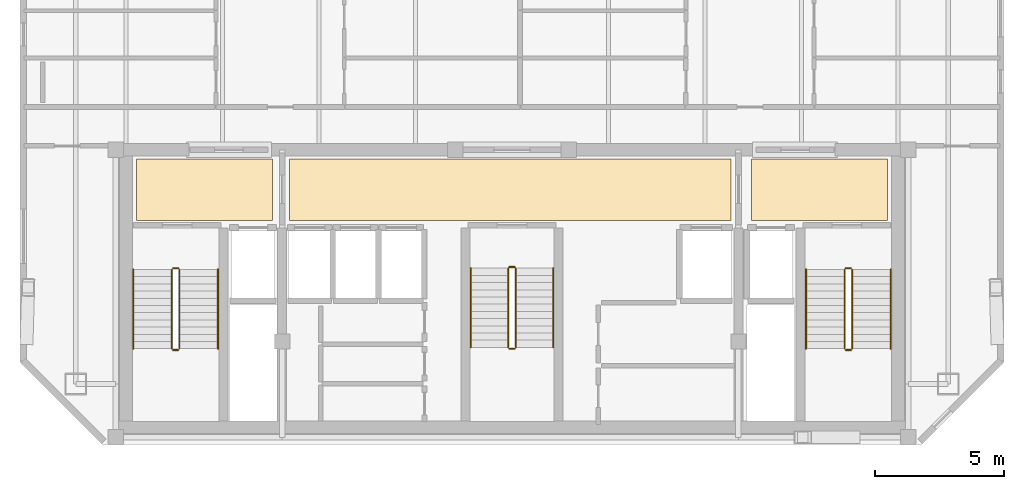
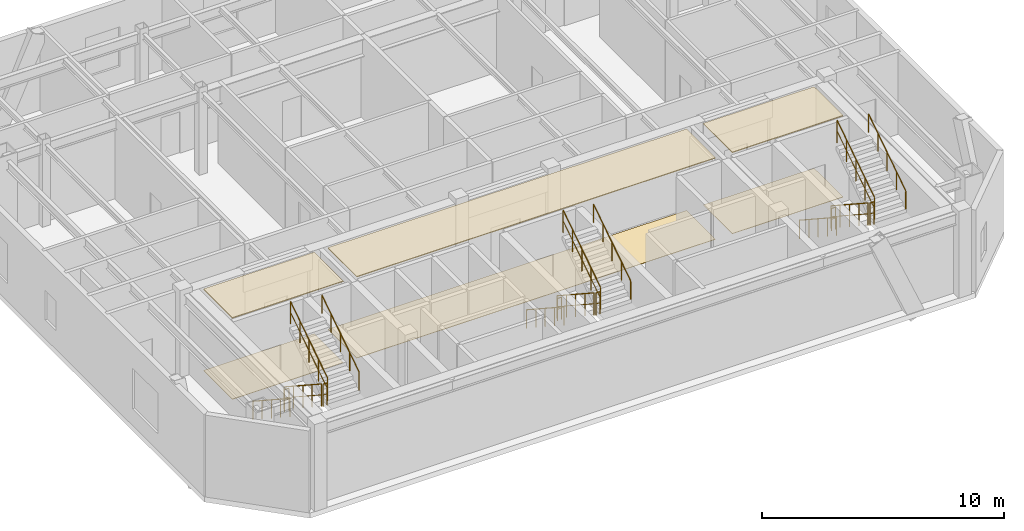
# One storey, part 7 of 7: 18 railings, 6 coverings.
"""IFC4 building model written with IfcOpenShell, lengths in metres."""

from ifc_helpers import new_model, si_unit, direction, frame, origin, origin_2d, place, context, subcontext, project, spatial, polyline, circle, outline, extrude, material, layer, layer_set, type_object, element, save


model = new_model("IFC4")

# Units and contexts
model_context = context("Model", 3, precision=1e-05, world=origin(), true_north=direction((0.0, 1.0)))
body_context = subcontext(model_context, "Body", "Model", "MODEL_VIEW")
ifc_project = project(units=[si_unit("LENGTHUNIT", "METRE"), si_unit("AREAUNIT", "SQUARE_METRE"), si_unit("VOLUMEUNIT", "CUBIC_METRE"), si_unit("PLANEANGLEUNIT", "RADIAN"), si_unit("MASSUNIT", "GRAM", prefix="KILO")], contexts=[model_context])

# Site, building, storey
site_placement = place(None, origin())
site = spatial("IfcSite", under=ifc_project, at=site_placement, CompositionType="ELEMENT")
building_placement = place(site_placement, origin())
building = spatial("IfcBuilding", under=site, at=building_placement, Name="Ventersveld Concourse Tower", CompositionType="ELEMENT")
storey_placement = place(building_placement, frame((0.0, 0.0, 353.449951171875)))
storey = spatial("IfcBuildingStorey", under=building, at=storey_placement, Name="L87", CompositionType="ELEMENT", Elevation=353.449951171875)

# Coverings
ifc_material_1 = material(Name="Mineral-fibre acoustic ceiling tile", Category="gypsum")
ifc_layer_1 = layer(ifc_material_1, 0.0400390625)
ifc_layer_set_1 = layer_set([ifc_layer_1], Name="Mineral-fibre acoustic ceiling tile")
covering_type_1 = type_object("IfcCoveringType", Name="COV-CEIL-ACOUSTIC", PredefinedType="CEILING", material=ifc_layer_set_1)
covering_1_placement = place(storey_placement, frame((0.0, 0.0, 4.10009765625)))
element("IfcCovering", 1, at=covering_1_placement, inside=storey, type_object=covering_type_1, Name="L87 North Lift Lobby Acoustic Ceiling", PredefinedType="CEILING", context=body_context, shape_type="SweptSolid", body=[
    extrude(outline(polyline([(20.10009765625, 8.699951171875), (37.25, 8.699951171875), (37.25, 11.10009765625), (20.10009765625, 11.10009765625), (20.10009765625, 8.699951171875)])), origin(), (0.0, 0.0, 1.0), 0.0400390625),
])
covering_2_placement = place(storey_placement, frame((0.0, 0.0, 4.10009765625)))
element("IfcCovering", 2, at=covering_2_placement, inside=storey, type_object=covering_type_1, Name="L87 West Firefighting Lobby Acoustic Ceiling", PredefinedType="CEILING", context=body_context, shape_type="SweptSolid", body=[
    extrude(outline(polyline([(14.14990234375, 8.699951171875), (19.449951171875, 8.699951171875), (19.449951171875, 11.10009765625), (14.14990234375, 11.10009765625), (14.14990234375, 8.699951171875)])), origin(), (0.0, 0.0, 1.0), 0.0400390625),
])
covering_3_placement = place(storey_placement, frame((0.0, 0.0, 4.10009765625)))
element("IfcCovering", 3, at=covering_3_placement, inside=storey, type_object=covering_type_1, Name="L87 East Firefighting Lobby Acoustic Ceiling", PredefinedType="CEILING", context=body_context, shape_type="SweptSolid", body=[
    extrude(outline(polyline([(38.050048828125, 8.699951171875), (43.35009765625, 8.699951171875), (43.35009765625, 11.10009765625), (38.050048828125, 11.10009765625), (38.050048828125, 8.699951171875)])), origin(), (0.0, 0.0, 1.0), 0.0400390625),
])
ifc_material_2 = material(Name="Polished Highveld granite terrazzo", Category="masonry")
ifc_layer_2 = layer(ifc_material_2, 0.02001953125)
ifc_layer_set_2 = layer_set([ifc_layer_2], Name="Polished Highveld granite terrazzo")
covering_type_2 = type_object("IfcCoveringType", Name="COV-FLOOR-TERRAZZO", PredefinedType="FLOORING", material=ifc_layer_set_2)
covering_4_placement = place(storey_placement, origin())
element("IfcCovering", 4, at=covering_4_placement, inside=storey, type_object=covering_type_2, Name="L87 North Lift Lobby Terrazzo Flooring", PredefinedType="FLOORING", context=body_context, shape_type="SweptSolid", body=[
    extrude(outline(polyline([(20.10009765625, 8.699951171875), (37.25, 8.699951171875), (37.25, 11.10009765625), (20.10009765625, 11.10009765625), (20.10009765625, 8.699951171875)])), origin(), (0.0, 0.0, 1.0), 0.02001953125),
])
covering_5_placement = place(storey_placement, origin())
element("IfcCovering", 5, at=covering_5_placement, inside=storey, type_object=covering_type_2, Name="L87 West Firefighting Lobby Terrazzo Flooring", PredefinedType="FLOORING", context=body_context, shape_type="SweptSolid", body=[
    extrude(outline(polyline([(14.14990234375, 8.699951171875), (19.449951171875, 8.699951171875), (19.449951171875, 11.10009765625), (14.14990234375, 11.10009765625), (14.14990234375, 8.699951171875)])), origin(), (0.0, 0.0, 1.0), 0.02001953125),
])
covering_6_placement = place(storey_placement, origin())
element("IfcCovering", 6, at=covering_6_placement, inside=storey, type_object=covering_type_2, Name="L87 East Firefighting Lobby Terrazzo Flooring", PredefinedType="FLOORING", context=body_context, shape_type="SweptSolid", body=[
    extrude(outline(polyline([(38.050048828125, 8.699951171875), (43.35009765625, 8.699951171875), (43.35009765625, 11.10009765625), (38.050048828125, 11.10009765625), (38.050048828125, 8.699951171875)])), origin(), (0.0, 0.0, 1.0), 0.02001953125),
])

# Railings
ifc_material_3 = material(Name="Brushed stainless steel 316", Category="steel")
railing_type_1 = type_object("IfcRailingType", Name="GD-BAL-115", PredefinedType="GUARDRAIL", material=ifc_material_3)
railing_1_placement = place(storey_placement, frame((15.530029296875, 6.800048828125, 0.183349609375)))
element("IfcRailing", 7, at=railing_1_placement, inside=storey, type_object=railing_type_1, Name="L87 ST-01 stair guard 1", PredefinedType="GUARDRAIL", context=body_context, shape_type="SweptSolid", body=[
    extrude(circle(Radius=0.02392578125, at=origin_2d()), frame((0.0, 0.0, 1.1259765625), z_axis=(0.0, -0.836633000464, 0.547763838287), x_axis=(1.0, 0.0, 0.0)), (0.0, 0.0, 1.0), 3.681396484375),
    extrude(circle(Radius=0.01611328125, at=origin_2d()), frame((0.0, 0.0, 0.574951171875), z_axis=(0.0, -0.836633000464, 0.547763838287), x_axis=(1.0, 0.0, 0.0)), (0.0, 0.0, 1.0), 3.681396484375),
    extrude(circle(Radius=0.02099609375, at=origin_2d()), origin(), (0.0, 0.0, 1.0), 1.101806640625),
    extrude(circle(Radius=0.02099609375, at=origin_2d()), frame((0.0, -0.77001953125, 0.504150390625)), (0.0, 0.0, 1.0), 1.101806640625),
    extrude(circle(Radius=0.02099609375, at=origin_2d()), frame((0.0, -1.5400390625, 1.00830078125)), (0.0, 0.0, 1.0), 1.101806640625),
    extrude(circle(Radius=0.02099609375, at=origin_2d()), frame((0.0, -2.31005859375, 1.512451171875)), (0.0, 0.0, 1.0), 1.101806640625),
    extrude(circle(Radius=0.02099609375, at=origin_2d()), frame((0.0, -3.080078125, 2.0166015625)), (0.0, 0.0, 1.0), 1.101806640625),
])
railing_2_placement = place(storey_placement, frame((15.580078125, 3.669921875, 2.199951171875)))
element("IfcRailing", 8, at=railing_2_placement, inside=storey, type_object=railing_type_1, Name="L87 ST-01 stair guard 2", PredefinedType="GUARDRAIL", context=body_context, shape_type="SweptSolid", body=[
    extrude(circle(Radius=0.02392578125, at=origin_2d()), frame((0.0, 0.0, 1.1259765625), z_axis=(1.0, 0.0, 0.0), x_axis=(0.0, 1.0, 0.0)), (0.0, 0.0, 1.0), 0.199951171875),
    extrude(circle(Radius=0.01611328125, at=origin_2d()), frame((0.0, 0.0, 0.574951171875), z_axis=(1.0, 0.0, 0.0), x_axis=(0.0, 1.0, 0.0)), (0.0, 0.0, 1.0), 0.199951171875),
    extrude(circle(Radius=0.02099609375, at=origin_2d()), origin(), (0.0, 0.0, 1.0), 1.101806640625),
    extrude(circle(Radius=0.02099609375, at=origin_2d()), frame((0.199951171875, 0.0, 0.0)), (0.0, 0.0, 1.0), 1.101806640625),
])
railing_3_placement = place(storey_placement, frame((15.830078125, 3.719970703125, 2.38330078125)))
element("IfcRailing", 9, at=railing_3_placement, inside=storey, type_object=railing_type_1, Name="L87 ST-01 stair guard 3", PredefinedType="GUARDRAIL", context=body_context, shape_type="SweptSolid", body=[
    extrude(circle(Radius=0.02392578125, at=origin_2d()), frame((0.0, 0.0, 1.1259765625), z_axis=(0.0, 0.836602609513, 0.547810253423), x_axis=(-1.0, 0.0, 0.0)), (0.0, 0.0, 1.0), 3.681640625),
    extrude(circle(Radius=0.01611328125, at=origin_2d()), frame((0.0, 0.0, 0.574951171875), z_axis=(0.0, 0.836602609513, 0.547810253423), x_axis=(-1.0, 0.0, 0.0)), (0.0, 0.0, 1.0), 3.681640625),
    extrude(circle(Radius=0.02099609375, at=origin_2d()), origin(), (0.0, 0.0, 1.0), 1.101806640625),
    extrude(circle(Radius=0.02099609375, at=origin_2d()), frame((0.0, 0.77001953125, 0.504150390625)), (0.0, 0.0, 1.0), 1.101806640625),
    extrude(circle(Radius=0.02099609375, at=origin_2d()), frame((0.0, 1.5400390625, 1.00830078125)), (0.0, 0.0, 1.0), 1.101806640625),
    extrude(circle(Radius=0.02099609375, at=origin_2d()), frame((0.0, 2.31005859375, 1.5126953125)), (0.0, 0.0, 1.0), 1.101806640625),
    extrude(circle(Radius=0.02099609375, at=origin_2d()), frame((0.0, 3.080078125, 2.016845703125)), (0.0, 0.0, 1.0), 1.101806640625),
])
railing_4_placement = place(storey_placement, frame((15.580078125, 6.85009765625, 0.0)))
element("IfcRailing", 10, at=railing_4_placement, inside=storey, type_object=railing_type_1, Name="L87 ST-01 stair guard 4", PredefinedType="GUARDRAIL", context=body_context, shape_type="SweptSolid", body=[
    extrude(circle(Radius=0.02392578125, at=origin_2d()), frame((0.0, 0.0, 1.1259765625), z_axis=(1.0, 0.0, 0.0), x_axis=(0.0, 1.0, 0.0)), (0.0, 0.0, 1.0), 0.199951171875),
    extrude(circle(Radius=0.01611328125, at=origin_2d()), frame((0.0, 0.0, 0.574951171875), z_axis=(1.0, 0.0, 0.0), x_axis=(0.0, 1.0, 0.0)), (0.0, 0.0, 1.0), 0.199951171875),
    extrude(circle(Radius=0.02099609375, at=origin_2d()), origin(), (0.0, 0.0, 1.0), 1.101806640625),
    extrude(circle(Radius=0.02099609375, at=origin_2d()), frame((0.199951171875, 0.0, 0.0)), (0.0, 0.0, 1.0), 1.101806640625),
])
railing_5_placement = place(storey_placement, frame((41.669921875, 6.800048828125, 0.183349609375)))
element("IfcRailing", 11, at=railing_5_placement, inside=storey, type_object=railing_type_1, Name="L87 ST-02 stair guard 1", PredefinedType="GUARDRAIL", context=body_context, shape_type="SweptSolid", body=[
    extrude(circle(Radius=0.02392578125, at=origin_2d()), frame((0.0, 0.0, 1.1259765625), z_axis=(0.0, -0.836633000464, 0.547763838287), x_axis=(1.0, 0.0, 0.0)), (0.0, 0.0, 1.0), 3.681396484375),
    extrude(circle(Radius=0.01611328125, at=origin_2d()), frame((0.0, 0.0, 0.574951171875), z_axis=(0.0, -0.836633000464, 0.547763838287), x_axis=(1.0, 0.0, 0.0)), (0.0, 0.0, 1.0), 3.681396484375),
    extrude(circle(Radius=0.02099609375, at=origin_2d()), origin(), (0.0, 0.0, 1.0), 1.101806640625),
    extrude(circle(Radius=0.02099609375, at=origin_2d()), frame((0.0, -0.77001953125, 0.504150390625)), (0.0, 0.0, 1.0), 1.101806640625),
    extrude(circle(Radius=0.02099609375, at=origin_2d()), frame((0.0, -1.5400390625, 1.00830078125)), (0.0, 0.0, 1.0), 1.101806640625),
    extrude(circle(Radius=0.02099609375, at=origin_2d()), frame((0.0, -2.31005859375, 1.512451171875)), (0.0, 0.0, 1.0), 1.101806640625),
    extrude(circle(Radius=0.02099609375, at=origin_2d()), frame((0.0, -3.080078125, 2.0166015625)), (0.0, 0.0, 1.0), 1.101806640625),
])
railing_6_placement = place(storey_placement, frame((41.719970703125, 3.669921875, 2.199951171875)))
element("IfcRailing", 12, at=railing_6_placement, inside=storey, type_object=railing_type_1, Name="L87 ST-02 stair guard 2", PredefinedType="GUARDRAIL", context=body_context, shape_type="SweptSolid", body=[
    extrude(circle(Radius=0.02392578125, at=origin_2d()), frame((0.0, 0.0, 1.1259765625), z_axis=(1.0, 0.0, 0.0), x_axis=(0.0, 1.0, 0.0)), (0.0, 0.0, 1.0), 0.199951171875),
    extrude(circle(Radius=0.01611328125, at=origin_2d()), frame((0.0, 0.0, 0.574951171875), z_axis=(1.0, 0.0, 0.0), x_axis=(0.0, 1.0, 0.0)), (0.0, 0.0, 1.0), 0.199951171875),
    extrude(circle(Radius=0.02099609375, at=origin_2d()), origin(), (0.0, 0.0, 1.0), 1.101806640625),
    extrude(circle(Radius=0.02099609375, at=origin_2d()), frame((0.199951171875, 0.0, 0.0)), (0.0, 0.0, 1.0), 1.101806640625),
])
railing_7_placement = place(storey_placement, frame((41.969970703125, 3.719970703125, 2.38330078125)))
element("IfcRailing", 13, at=railing_7_placement, inside=storey, type_object=railing_type_1, Name="L87 ST-02 stair guard 3", PredefinedType="GUARDRAIL", context=body_context, shape_type="SweptSolid", body=[
    extrude(circle(Radius=0.02392578125, at=origin_2d()), frame((0.0, 0.0, 1.1259765625), z_axis=(0.0, 0.836602609513, 0.547810253423), x_axis=(-1.0, 0.0, 0.0)), (0.0, 0.0, 1.0), 3.681640625),
    extrude(circle(Radius=0.01611328125, at=origin_2d()), frame((0.0, 0.0, 0.574951171875), z_axis=(0.0, 0.836602609513, 0.547810253423), x_axis=(-1.0, 0.0, 0.0)), (0.0, 0.0, 1.0), 3.681640625),
    extrude(circle(Radius=0.02099609375, at=origin_2d()), origin(), (0.0, 0.0, 1.0), 1.101806640625),
    extrude(circle(Radius=0.02099609375, at=origin_2d()), frame((0.0, 0.77001953125, 0.504150390625)), (0.0, 0.0, 1.0), 1.101806640625),
    extrude(circle(Radius=0.02099609375, at=origin_2d()), frame((0.0, 1.5400390625, 1.00830078125)), (0.0, 0.0, 1.0), 1.101806640625),
    extrude(circle(Radius=0.02099609375, at=origin_2d()), frame((0.0, 2.31005859375, 1.5126953125)), (0.0, 0.0, 1.0), 1.101806640625),
    extrude(circle(Radius=0.02099609375, at=origin_2d()), frame((0.0, 3.080078125, 2.016845703125)), (0.0, 0.0, 1.0), 1.101806640625),
])
railing_8_placement = place(storey_placement, frame((41.719970703125, 6.85009765625, 0.0)))
element("IfcRailing", 14, at=railing_8_placement, inside=storey, type_object=railing_type_1, Name="L87 ST-02 stair guard 4", PredefinedType="GUARDRAIL", context=body_context, shape_type="SweptSolid", body=[
    extrude(circle(Radius=0.02392578125, at=origin_2d()), frame((0.0, 0.0, 1.1259765625), z_axis=(1.0, 0.0, 0.0), x_axis=(0.0, 1.0, 0.0)), (0.0, 0.0, 1.0), 0.199951171875),
    extrude(circle(Radius=0.01611328125, at=origin_2d()), frame((0.0, 0.0, 0.574951171875), z_axis=(1.0, 0.0, 0.0), x_axis=(0.0, 1.0, 0.0)), (0.0, 0.0, 1.0), 0.199951171875),
    extrude(circle(Radius=0.02099609375, at=origin_2d()), origin(), (0.0, 0.0, 1.0), 1.101806640625),
    extrude(circle(Radius=0.02099609375, at=origin_2d()), frame((0.199951171875, 0.0, 0.0)), (0.0, 0.0, 1.0), 1.101806640625),
])
railing_9_placement = place(storey_placement, frame((28.60009765625, 6.85009765625, 0.183349609375)))
element("IfcRailing", 15, at=railing_9_placement, inside=storey, type_object=railing_type_1, Name="L87 ST-03 stair guard 1", PredefinedType="GUARDRAIL", context=body_context, shape_type="SweptSolid", body=[
    extrude(circle(Radius=0.02392578125, at=origin_2d()), frame((0.0, 0.0, 1.1259765625), z_axis=(0.0, -0.836633000464, 0.547763838287), x_axis=(1.0, 0.0, 0.0)), (0.0, 0.0, 1.0), 3.681396484375),
    extrude(circle(Radius=0.01611328125, at=origin_2d()), frame((0.0, 0.0, 0.574951171875), z_axis=(0.0, -0.836633000464, 0.547763838287), x_axis=(1.0, 0.0, 0.0)), (0.0, 0.0, 1.0), 3.681396484375),
    extrude(circle(Radius=0.02099609375, at=origin_2d()), origin(), (0.0, 0.0, 1.0), 1.101806640625),
    extrude(circle(Radius=0.02099609375, at=origin_2d()), frame((0.0, -0.77001953125, 0.504150390625)), (0.0, 0.0, 1.0), 1.101806640625),
    extrude(circle(Radius=0.02099609375, at=origin_2d()), frame((0.0, -1.5400390625, 1.00830078125)), (0.0, 0.0, 1.0), 1.101806640625),
    extrude(circle(Radius=0.02099609375, at=origin_2d()), frame((0.0, -2.31005859375, 1.512451171875)), (0.0, 0.0, 1.0), 1.101806640625),
    extrude(circle(Radius=0.02099609375, at=origin_2d()), frame((0.0, -3.080078125, 2.0166015625)), (0.0, 0.0, 1.0), 1.101806640625),
])
railing_10_placement = place(storey_placement, frame((28.64990234375, 3.719970703125, 2.199951171875)))
element("IfcRailing", 16, at=railing_10_placement, inside=storey, type_object=railing_type_1, Name="L87 ST-03 stair guard 2", PredefinedType="GUARDRAIL", context=body_context, shape_type="SweptSolid", body=[
    extrude(circle(Radius=0.02392578125, at=origin_2d()), frame((0.0, 0.0, 1.1259765625), z_axis=(1.0, 0.0, 0.0), x_axis=(0.0, 1.0, 0.0)), (0.0, 0.0, 1.0), 0.2001953125),
    extrude(circle(Radius=0.01611328125, at=origin_2d()), frame((0.0, 0.0, 0.574951171875), z_axis=(1.0, 0.0, 0.0), x_axis=(0.0, 1.0, 0.0)), (0.0, 0.0, 1.0), 0.2001953125),
    extrude(circle(Radius=0.02099609375, at=origin_2d()), origin(), (0.0, 0.0, 1.0), 1.101806640625),
    extrude(circle(Radius=0.02099609375, at=origin_2d()), frame((0.2001953125, 0.0, 0.0)), (0.0, 0.0, 1.0), 1.101806640625),
])
railing_11_placement = place(storey_placement, frame((28.89990234375, 3.77001953125, 2.38330078125)))
element("IfcRailing", 17, at=railing_11_placement, inside=storey, type_object=railing_type_1, Name="L87 ST-03 stair guard 3", PredefinedType="GUARDRAIL", context=body_context, shape_type="SweptSolid", body=[
    extrude(circle(Radius=0.02392578125, at=origin_2d()), frame((0.0, 0.0, 1.1259765625), z_axis=(0.0, 0.836602609513, 0.547810253423), x_axis=(-1.0, 0.0, 0.0)), (0.0, 0.0, 1.0), 3.681640625),
    extrude(circle(Radius=0.01611328125, at=origin_2d()), frame((0.0, 0.0, 0.574951171875), z_axis=(0.0, 0.836602609513, 0.547810253423), x_axis=(-1.0, 0.0, 0.0)), (0.0, 0.0, 1.0), 3.681640625),
    extrude(circle(Radius=0.02099609375, at=origin_2d()), origin(), (0.0, 0.0, 1.0), 1.101806640625),
    extrude(circle(Radius=0.02099609375, at=origin_2d()), frame((0.0, 0.77001953125, 0.504150390625)), (0.0, 0.0, 1.0), 1.101806640625),
    extrude(circle(Radius=0.02099609375, at=origin_2d()), frame((0.0, 1.5400390625, 1.00830078125)), (0.0, 0.0, 1.0), 1.101806640625),
    extrude(circle(Radius=0.02099609375, at=origin_2d()), frame((0.0, 2.31005859375, 1.5126953125)), (0.0, 0.0, 1.0), 1.101806640625),
    extrude(circle(Radius=0.02099609375, at=origin_2d()), frame((0.0, 3.080078125, 2.016845703125)), (0.0, 0.0, 1.0), 1.101806640625),
])
railing_12_placement = place(storey_placement, frame((28.64990234375, 6.89990234375, 0.0)))
element("IfcRailing", 18, at=railing_12_placement, inside=storey, type_object=railing_type_1, Name="L87 ST-03 stair guard 4", PredefinedType="GUARDRAIL", context=body_context, shape_type="SweptSolid", body=[
    extrude(circle(Radius=0.02392578125, at=origin_2d()), frame((0.0, 0.0, 1.1259765625), z_axis=(1.0, 0.0, 0.0), x_axis=(0.0, 1.0, 0.0)), (0.0, 0.0, 1.0), 0.2001953125),
    extrude(circle(Radius=0.01611328125, at=origin_2d()), frame((0.0, 0.0, 0.574951171875), z_axis=(1.0, 0.0, 0.0), x_axis=(0.0, 1.0, 0.0)), (0.0, 0.0, 1.0), 0.2001953125),
    extrude(circle(Radius=0.02099609375, at=origin_2d()), origin(), (0.0, 0.0, 1.0), 1.101806640625),
    extrude(circle(Radius=0.02099609375, at=origin_2d()), frame((0.2001953125, 0.0, 0.0)), (0.0, 0.0, 1.0), 1.101806640625),
])
railing_type_2 = type_object("IfcRailingType", Name="HR-RMP-095", PredefinedType="HANDRAIL", material=ifc_material_3)
railing_13_placement = place(storey_placement, frame((14.030029296875, 6.800048828125, 0.183349609375)))
element("IfcRailing", 19, at=railing_13_placement, inside=storey, type_object=railing_type_2, Name="L87 ST-01 stair handrail 1", PredefinedType="HANDRAIL", context=body_context, shape_type="SweptSolid", body=[
    extrude(circle(Radius=0.02392578125, at=origin_2d()), frame((0.0, 0.0, 0.92578125), z_axis=(0.0, -0.836633000464, 0.547763838287), x_axis=(1.0, 0.0, 0.0)), (0.0, 0.0, 1.0), 3.681396484375),
    extrude(circle(Radius=0.02099609375, at=origin_2d()), origin(), (0.0, 0.0, 1.0), 0.90185546875),
    extrude(circle(Radius=0.02099609375, at=origin_2d()), frame((0.0, -0.77001953125, 0.504150390625)), (0.0, 0.0, 1.0), 0.90185546875),
    extrude(circle(Radius=0.02099609375, at=origin_2d()), frame((0.0, -1.5400390625, 1.00830078125)), (0.0, 0.0, 1.0), 0.90185546875),
    extrude(circle(Radius=0.02099609375, at=origin_2d()), frame((0.0, -2.31005859375, 1.512451171875)), (0.0, 0.0, 1.0), 0.90185546875),
    extrude(circle(Radius=0.02099609375, at=origin_2d()), frame((0.0, -3.080078125, 2.0166015625)), (0.0, 0.0, 1.0), 0.90185546875),
])
railing_14_placement = place(storey_placement, frame((17.330078125, 3.719970703125, 2.38330078125)))
element("IfcRailing", 20, at=railing_14_placement, inside=storey, type_object=railing_type_2, Name="L87 ST-01 stair handrail 2", PredefinedType="HANDRAIL", context=body_context, shape_type="SweptSolid", body=[
    extrude(circle(Radius=0.02392578125, at=origin_2d()), frame((0.0, 0.0, 0.92578125), z_axis=(0.0, 0.836602609513, 0.547810253423), x_axis=(-1.0, 0.0, 0.0)), (0.0, 0.0, 1.0), 3.681640625),
    extrude(circle(Radius=0.02099609375, at=origin_2d()), origin(), (0.0, 0.0, 1.0), 0.90185546875),
    extrude(circle(Radius=0.02099609375, at=origin_2d()), frame((0.0, 0.77001953125, 0.504150390625)), (0.0, 0.0, 1.0), 0.90185546875),
    extrude(circle(Radius=0.02099609375, at=origin_2d()), frame((0.0, 1.5400390625, 1.00830078125)), (0.0, 0.0, 1.0), 0.90185546875),
    extrude(circle(Radius=0.02099609375, at=origin_2d()), frame((0.0, 2.31005859375, 1.5126953125)), (0.0, 0.0, 1.0), 0.90185546875),
    extrude(circle(Radius=0.02099609375, at=origin_2d()), frame((0.0, 3.080078125, 2.016845703125)), (0.0, 0.0, 1.0), 0.90185546875),
])
railing_15_placement = place(storey_placement, frame((40.169921875, 6.800048828125, 0.183349609375)))
element("IfcRailing", 21, at=railing_15_placement, inside=storey, type_object=railing_type_2, Name="L87 ST-02 stair handrail 1", PredefinedType="HANDRAIL", context=body_context, shape_type="SweptSolid", body=[
    extrude(circle(Radius=0.02392578125, at=origin_2d()), frame((0.0, 0.0, 0.92578125), z_axis=(0.0, -0.836633000464, 0.547763838287), x_axis=(1.0, 0.0, 0.0)), (0.0, 0.0, 1.0), 3.681396484375),
    extrude(circle(Radius=0.02099609375, at=origin_2d()), origin(), (0.0, 0.0, 1.0), 0.90185546875),
    extrude(circle(Radius=0.02099609375, at=origin_2d()), frame((0.0, -0.77001953125, 0.504150390625)), (0.0, 0.0, 1.0), 0.90185546875),
    extrude(circle(Radius=0.02099609375, at=origin_2d()), frame((0.0, -1.5400390625, 1.00830078125)), (0.0, 0.0, 1.0), 0.90185546875),
    extrude(circle(Radius=0.02099609375, at=origin_2d()), frame((0.0, -2.31005859375, 1.512451171875)), (0.0, 0.0, 1.0), 0.90185546875),
    extrude(circle(Radius=0.02099609375, at=origin_2d()), frame((0.0, -3.080078125, 2.0166015625)), (0.0, 0.0, 1.0), 0.90185546875),
])
railing_16_placement = place(storey_placement, frame((43.469970703125, 3.719970703125, 2.38330078125)))
element("IfcRailing", 22, at=railing_16_placement, inside=storey, type_object=railing_type_2, Name="L87 ST-02 stair handrail 2", PredefinedType="HANDRAIL", context=body_context, shape_type="SweptSolid", body=[
    extrude(circle(Radius=0.02392578125, at=origin_2d()), frame((0.0, 0.0, 0.92578125), z_axis=(0.0, 0.836602609513, 0.547810253423), x_axis=(-1.0, 0.0, 0.0)), (0.0, 0.0, 1.0), 3.681640625),
    extrude(circle(Radius=0.02099609375, at=origin_2d()), origin(), (0.0, 0.0, 1.0), 0.90185546875),
    extrude(circle(Radius=0.02099609375, at=origin_2d()), frame((0.0, 0.77001953125, 0.504150390625)), (0.0, 0.0, 1.0), 0.90185546875),
    extrude(circle(Radius=0.02099609375, at=origin_2d()), frame((0.0, 1.5400390625, 1.00830078125)), (0.0, 0.0, 1.0), 0.90185546875),
    extrude(circle(Radius=0.02099609375, at=origin_2d()), frame((0.0, 2.31005859375, 1.5126953125)), (0.0, 0.0, 1.0), 0.90185546875),
    extrude(circle(Radius=0.02099609375, at=origin_2d()), frame((0.0, 3.080078125, 2.016845703125)), (0.0, 0.0, 1.0), 0.90185546875),
])
railing_17_placement = place(storey_placement, frame((27.14990234375, 6.85009765625, 0.183349609375)))
element("IfcRailing", 23, at=railing_17_placement, inside=storey, type_object=railing_type_2, Name="L87 ST-03 stair handrail 1", PredefinedType="HANDRAIL", context=body_context, shape_type="SweptSolid", body=[
    extrude(circle(Radius=0.02392578125, at=origin_2d()), frame((0.0, 0.0, 0.92578125), z_axis=(0.0, -0.836633000464, 0.547763838287), x_axis=(1.0, 0.0, 0.0)), (0.0, 0.0, 1.0), 3.681396484375),
    extrude(circle(Radius=0.02099609375, at=origin_2d()), origin(), (0.0, 0.0, 1.0), 0.90185546875),
    extrude(circle(Radius=0.02099609375, at=origin_2d()), frame((0.0, -0.77001953125, 0.504150390625)), (0.0, 0.0, 1.0), 0.90185546875),
    extrude(circle(Radius=0.02099609375, at=origin_2d()), frame((0.0, -1.5400390625, 1.00830078125)), (0.0, 0.0, 1.0), 0.90185546875),
    extrude(circle(Radius=0.02099609375, at=origin_2d()), frame((0.0, -2.31005859375, 1.512451171875)), (0.0, 0.0, 1.0), 0.90185546875),
    extrude(circle(Radius=0.02099609375, at=origin_2d()), frame((0.0, -3.080078125, 2.0166015625)), (0.0, 0.0, 1.0), 0.90185546875),
])
railing_18_placement = place(storey_placement, frame((30.35009765625, 3.77001953125, 2.38330078125)))
element("IfcRailing", 24, at=railing_18_placement, inside=storey, type_object=railing_type_2, Name="L87 ST-03 stair handrail 2", PredefinedType="HANDRAIL", context=body_context, shape_type="SweptSolid", body=[
    extrude(circle(Radius=0.02392578125, at=origin_2d()), frame((0.0, 0.0, 0.92578125), z_axis=(0.0, 0.836602609513, 0.547810253423), x_axis=(-1.0, 0.0, 0.0)), (0.0, 0.0, 1.0), 3.681640625),
    extrude(circle(Radius=0.02099609375, at=origin_2d()), origin(), (0.0, 0.0, 1.0), 0.90185546875),
    extrude(circle(Radius=0.02099609375, at=origin_2d()), frame((0.0, 0.77001953125, 0.504150390625)), (0.0, 0.0, 1.0), 0.90185546875),
    extrude(circle(Radius=0.02099609375, at=origin_2d()), frame((0.0, 1.5400390625, 1.00830078125)), (0.0, 0.0, 1.0), 0.90185546875),
    extrude(circle(Radius=0.02099609375, at=origin_2d()), frame((0.0, 2.31005859375, 1.5126953125)), (0.0, 0.0, 1.0), 0.90185546875),
    extrude(circle(Radius=0.02099609375, at=origin_2d()), frame((0.0, 3.080078125, 2.016845703125)), (0.0, 0.0, 1.0), 0.90185546875),
])

save(model, "model.ifc")
